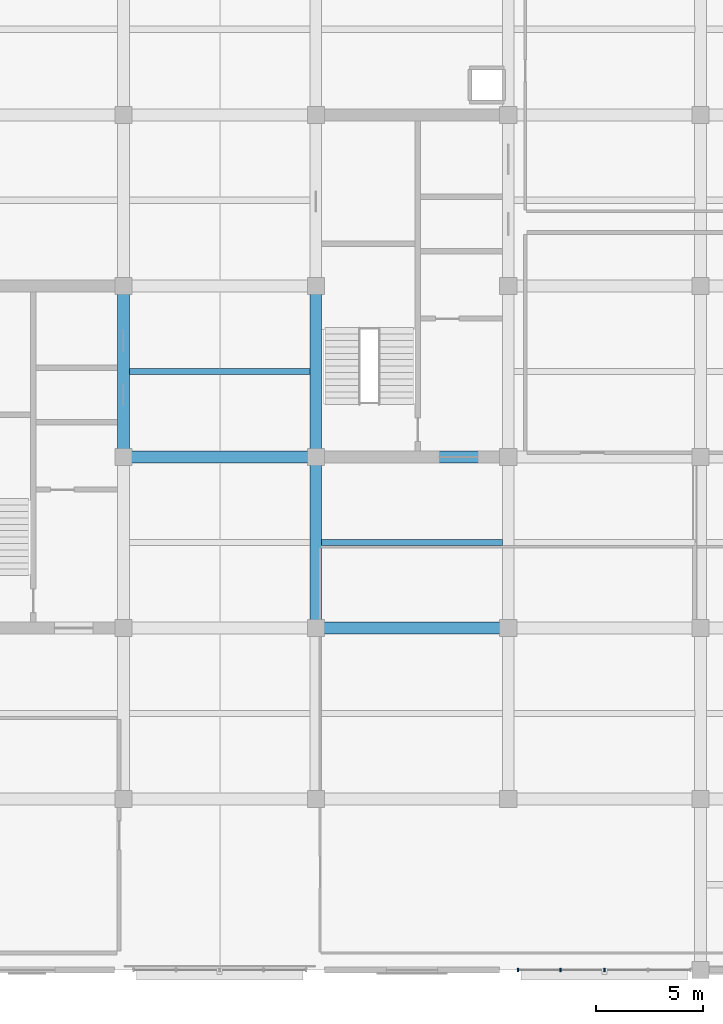
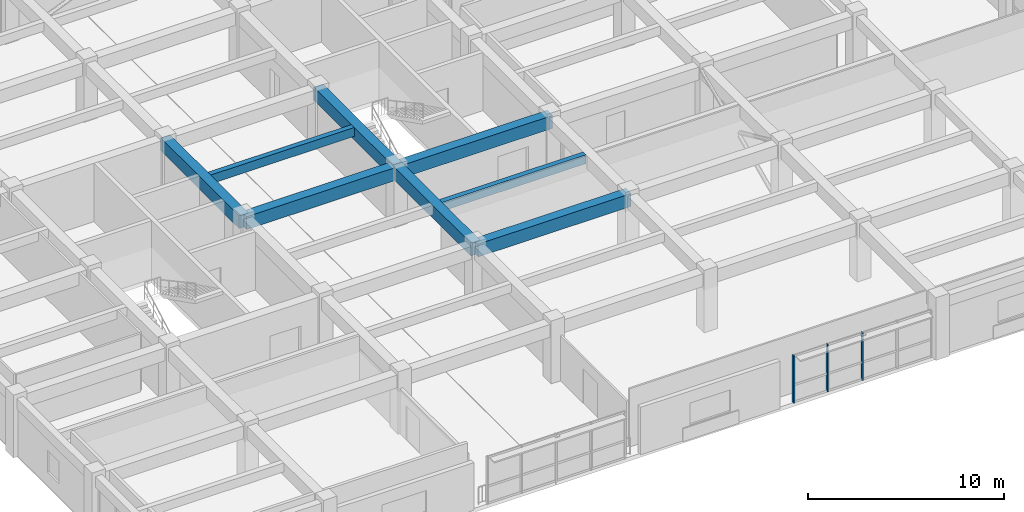
# One storey, part 5 of 16: 8 beams, 3 members, 1 element without a shape of its own.
"""IFC4 building model written with IfcOpenShell, lengths in metres."""

from ifc_helpers import new_model, si_unit, direction, frame, origin, origin_2d, place, context, subcontext, project, spatial, rectangle, extrude, material, material_profile, profile_set, type_object, element, aggregate, save


model = new_model("IFC4")

# Units and contexts
model_context = context("Model", 3, precision=1e-05, world=origin(), true_north=direction((0.0, 1.0)))
body_context = subcontext(model_context, "Body", "Model", "MODEL_VIEW")
ifc_project = project(units=[si_unit("LENGTHUNIT", "METRE"), si_unit("AREAUNIT", "SQUARE_METRE"), si_unit("VOLUMEUNIT", "CUBIC_METRE"), si_unit("PLANEANGLEUNIT", "RADIAN"), si_unit("MASSUNIT", "GRAM", prefix="KILO")], contexts=[model_context])

# Site, building, storey
site_placement = place(None, origin())
site = spatial("IfcSite", under=ifc_project, at=site_placement, CompositionType="ELEMENT")
building_placement = place(site_placement, origin())
building = spatial("IfcBuilding", under=site, at=building_placement, Name="Zaverband Oceanarium and Marine Research Institute", CompositionType="ELEMENT")
storey_placement = place(building_placement, frame((0.0, 0.0, 41.39990234375)))
storey = spatial("IfcBuildingStorey", under=building, at=storey_placement, Name="L10", CompositionType="ELEMENT", Elevation=41.39990234375)

# Beams
ifc_material_1 = material(Name="Concrete C40/50", Category="concrete")
ifc_material_profile_1 = material_profile(ifc_material_1, rectangle(XDim=0.550048828125, YDim=0.800048828125, at=origin_2d()), Name="RC550x800")
ifc_profile_set_1 = profile_set([ifc_material_profile_1], Name="Concrete C40/50")
beam_type_1 = type_object("IfcBeamType", Name="BM-550x800", PredefinedType="BEAM", material=ifc_profile_set_1)
for number, where, z_axis, x_axis, name in (
    (1, (36.0, 80.0, 3.22021484375), (1.0, 0.0, 0.0), (0.0, 1.0, 0.0), "Primary floor girder BM-550x800"),
    (2, (27.0, 88.0, 3.22021484375), (1.0, 0.0, 0.0), (0.0, 1.0, 0.0), "Primary floor girder BM-550x800"),
    (3, (36.0, 88.0, 3.22021484375), (1.0, 0.0, 0.0), (0.0, 1.0, 0.0), "Primary floor girder BM-550x800"),
):
    element("IfcBeam", number, at=place(storey_placement, frame(where, z_axis=z_axis, x_axis=x_axis)), inside=storey, type_object=beam_type_1, Name=name, PredefinedType="BEAM", context=body_context, shape_type="SweptSolid", body=[
        extrude(rectangle(XDim=0.550048828125, YDim=0.800048828125, at=origin_2d()), origin(), (0.0, 0.0, 1.0), 9.0),
    ])
for number, where, z_axis, x_axis, name in (
    (4, (27.0, 88.0, 3.22021484375), (0.0, 1.0, 0.0), (-1.0, 0.0, 0.0), "Primary floor girder BM-550x800"),
    (5, (36.0, 80.0, 3.22021484375), (0.0, 1.0, 0.0), (-1.0, 0.0, 0.0), "Primary floor girder BM-550x800"),
    (6, (36.0, 88.0, 3.22021484375), (0.0, 1.0, 0.0), (-1.0, 0.0, 0.0), "Primary floor girder BM-550x800"),
):
    element("IfcBeam", number, at=place(storey_placement, frame(where, z_axis=z_axis, x_axis=x_axis)), inside=storey, type_object=beam_type_1, Name=name, PredefinedType="BEAM", context=body_context, shape_type="SweptSolid", body=[
        extrude(rectangle(XDim=0.550048828125, YDim=0.800048828125, at=origin_2d()), origin(), (0.0, 0.0, 1.0), 8.0),
    ])
ifc_material_profile_2 = material_profile(ifc_material_1, rectangle(XDim=0.300048828125, YDim=0.550048828125, at=origin_2d()), Name="RC300x550")
ifc_profile_set_2 = profile_set([ifc_material_profile_2], Name="Concrete C40/50")
beam_type_2 = type_object("IfcBeamType", Name="JST-300x550", PredefinedType="JOIST", material=ifc_profile_set_2)
for number, where, z_axis, x_axis, name in (
    (7, (27.27490234375, 92.0, 3.34521484375), (1.0, 0.0, 0.0), (0.0, 1.0, 0.0), "Secondary floor joist JST-300x550"),
    (8, (36.27490234375, 84.0, 3.34521484375), (1.0, 0.0, 0.0), (0.0, 1.0, 0.0), "Secondary floor joist JST-300x550"),
):
    element("IfcBeam", number, at=place(storey_placement, frame(where, z_axis=z_axis, x_axis=x_axis)), inside=storey, type_object=beam_type_2, Name=name, PredefinedType="JOIST", context=body_context, shape_type="SweptSolid", body=[
        extrude(rectangle(XDim=0.300048828125, YDim=0.550048828125, at=origin_2d()), origin(), (0.0, 0.0, 1.0), 8.4501953125),
    ])

# Curtain wall, members
ifc_material_2 = material(Name="Thermally broken anodized aluminium and solar-control glass", Category="aluminium")
curtain_wall_type = type_object("IfcCurtainWallType", Name="CW-UNIT-1800", PredefinedType="NOTDEFINED", material=ifc_material_2)
curtain_wall_placement = place(storey_placement, origin())
curtain_wall = element("IfcCurtainWall", 9, at=curtain_wall_placement, inside=storey, type_object=curtain_wall_type, Name="Unitised glazed curtain wall CW-114", PredefinedType="NOTDEFINED")
ifc_material_3 = material(Name="Thermally broken anodized aluminium", Category="aluminium")
ifc_material_profile_3 = material_profile(ifc_material_3, rectangle(XDim=0.070068359375, YDim=0.14990234375, at=origin_2d()), Name="AL-MUL-70x150")
ifc_profile_set_3 = profile_set([ifc_material_profile_3], Name="Thermally broken anodized aluminium")
member_type = type_object("IfcMemberType", Name="MUL-70x150", PredefinedType="MULLION", material=ifc_profile_set_3)
member_1_placement = place(storey_placement, frame((45.465087890625, 64.0, 0.0), z_axis=(0.0, 0.0, 1.0), x_axis=(1.0, 0.0, 0.0)))
member_1 = element("IfcMember", 10, at=member_1_placement, type_object=member_type, Name="Curtain wall vertical mullion MUL-70x150", PredefinedType="MULLION", context=body_context, shape_type="SweptSolid", body=[
    extrude(rectangle(XDim=0.070068359375, YDim=0.14990234375, at=origin_2d()), origin(), (0.0, 0.0, 1.0), 2.9501953125),
])
member_2_placement = place(storey_placement, frame((47.452392578125, 64.0, 0.0), z_axis=(0.0, 0.0, 1.0), x_axis=(1.0, 0.0, 0.0)))
member_2 = element("IfcMember", 11, at=member_2_placement, type_object=member_type, Name="Curtain wall vertical mullion MUL-70x150", PredefinedType="MULLION", context=body_context, shape_type="SweptSolid", body=[
    extrude(rectangle(XDim=0.070068359375, YDim=0.14990234375, at=origin_2d()), origin(), (0.0, 0.0, 1.0), 2.9501953125),
])
member_3_placement = place(storey_placement, frame((49.5, 64.0, 0.0), z_axis=(0.0, 0.0, 1.0), x_axis=(1.0, 0.0, 0.0)))
member_3 = element("IfcMember", 12, at=member_3_placement, type_object=member_type, Name="Curtain wall vertical mullion MUL-70x150", PredefinedType="MULLION", context=body_context, shape_type="SweptSolid", body=[
    extrude(rectangle(XDim=0.070068359375, YDim=0.14990234375, at=origin_2d()), origin(), (0.0, 0.0, 1.0), 2.9501953125),
])
aggregate(curtain_wall, [member_1, member_2, member_3])

save(model, "model.ifc")
